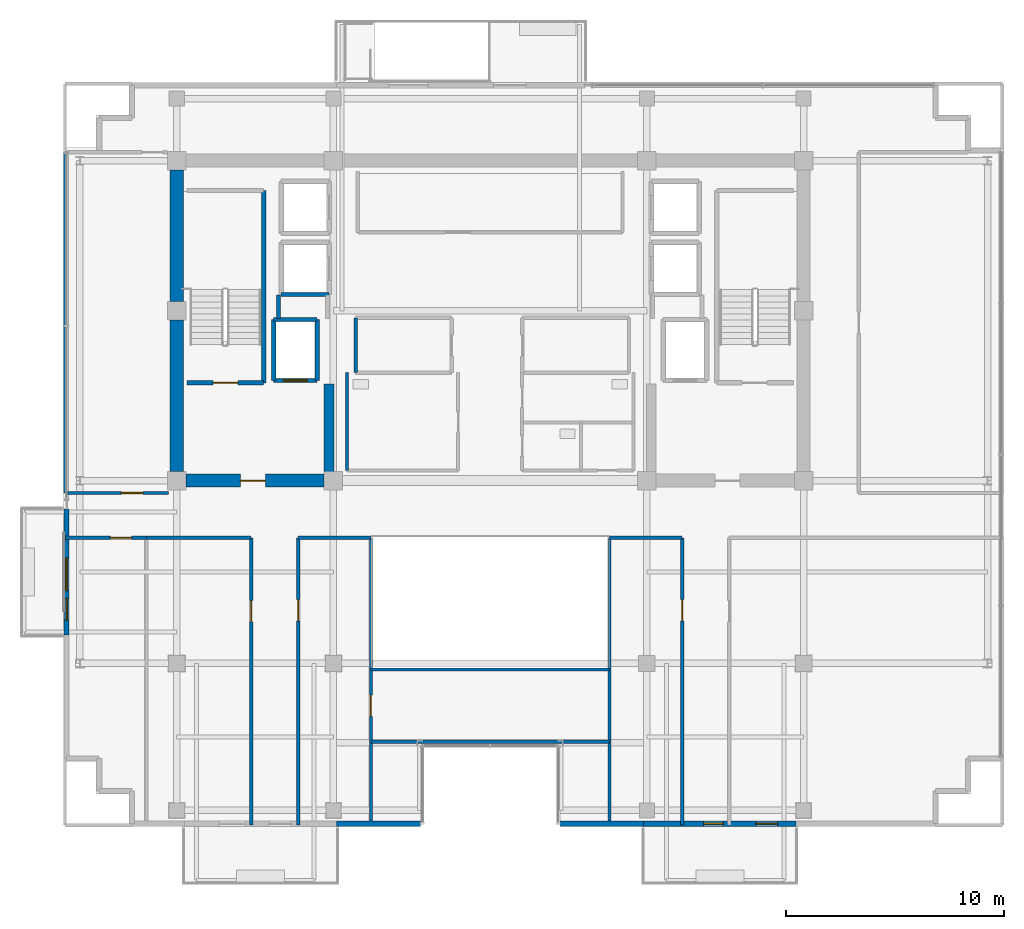
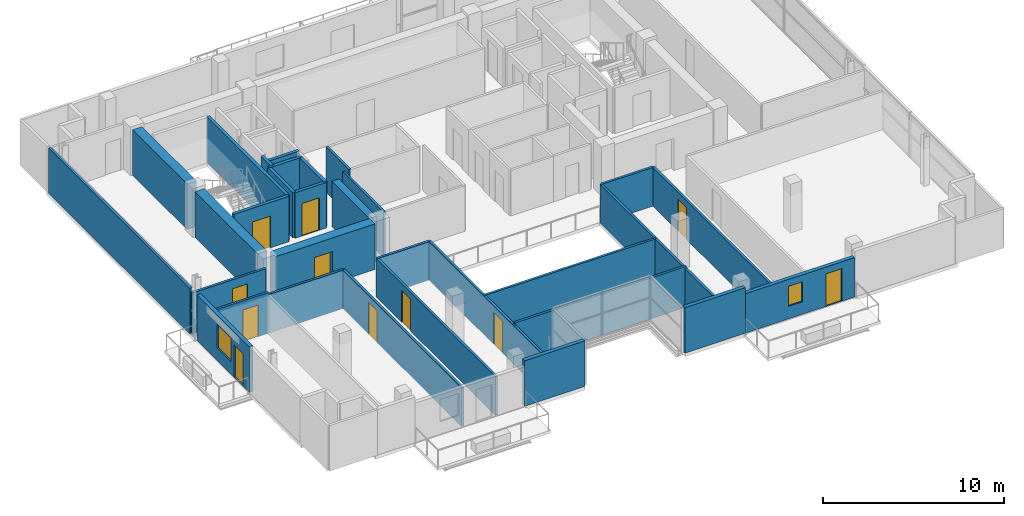
# One storey, part 16 of 24: 31 walls, 11 doors, 2 windows, 13 openings.
"""IFC4 building model written with IfcOpenShell, lengths in metres."""

import ifcopenshell
import ifcopenshell.guid

model = None  # the IFC model being written
_history = None  # IfcOwnerHistory: only IFC2X3 demands one
_inside = {}  # id of a spatial element -> (the spatial element, [elements in it])
_under = {}  # id of a project, library or spatial element -> (it, [spatial elements below it])
_declared = {}  # id of a project -> (the project, [libraries it declares])
_typed = {}  # id of a type object -> (the type object, [elements of that type])
_made_of = {}  # id of a material, layer set ... -> (it, [elements and type objects made of it])


def new_model(schema):
    """Start an empty IFC model of exactly this schema.

    Asked for "IFC4X3", IfcOpenShell would pick the latest addendum, in which some entities
    have other attributes; the version numbers below select the first issue.
    IFC2X3 requires an IfcOwnerHistory on every rooted entity: one is made here for all.
    """
    global model, _history
    if schema == "IFC4X3":
        model = ifcopenshell.file(schema_version=(4, 3, 0, 0))
    else:
        model = ifcopenshell.file(schema=schema)
    _inside.clear()
    _under.clear()
    _declared.clear()
    _typed.clear()
    _made_of.clear()
    _history = None
    if model.schema == "IFC2X3":
        org = make("IfcOrganization", Name="unknown")
        user = make(
            "IfcPersonAndOrganization",
            ThePerson=make("IfcPerson", FamilyName="unknown"),
            TheOrganization=org,
        )
        app = make(
            "IfcApplication",
            ApplicationDeveloper=org,
            Version="unknown",
            ApplicationFullName="unknown",
            ApplicationIdentifier="unknown",
        )
        _history = make(
            "IfcOwnerHistory",
            OwningUser=user,
            OwningApplication=app,
            ChangeAction="ADDED",
            CreationDate=0,
        )
    return model


def make(cls, **values):
    """One entity of the class cls with the attributes given. An attribute that is None is left unset."""
    return model.create_entity(
        cls, **{name: value for name, value in values.items() if value is not None}
    )


def rooted(cls, **values):
    """An entity with a GlobalId (a new one), such as an element, a storey or a relation."""
    return make(cls, GlobalId=ifcopenshell.guid.new(), OwnerHistory=_history, **values)


def si_unit(unit_type, name, prefix=None):
    """IfcSIUnit, for example si_unit("LENGTHUNIT", "METRE", prefix="MILLI")."""
    return make("IfcSIUnit", UnitType=unit_type, Prefix=prefix, Name=name)


def assignment(units):
    """IfcUnitAssignment: the units of a project."""
    return None if units is None else make("IfcUnitAssignment", Units=units)


def point(xyz):
    """IfcCartesianPoint."""
    return None if xyz is None else make("IfcCartesianPoint", Coordinates=xyz)


def direction(xyz):
    """IfcDirection."""
    return None if xyz is None else make("IfcDirection", DirectionRatios=xyz)


def frame(location, z_axis=None, x_axis=None):
    """IfcAxis2Placement3D, a coordinate frame: its origin and axes. An axis left out is left unset."""
    return make(
        "IfcAxis2Placement3D",
        Location=point(location),
        Axis=direction(z_axis),
        RefDirection=direction(x_axis),
    )


def frame_2d(location, x_axis=None):
    """IfcAxis2Placement2D, a coordinate frame in the plane: its origin and x axis."""
    return make(
        "IfcAxis2Placement2D", Location=point(location), RefDirection=direction(x_axis)
    )


def origin():
    """The frame at (0, 0, 0) with its axes left unset."""
    return frame((0.0, 0.0, 0.0))


def place(relative_to, where):
    """IfcLocalPlacement: puts the frame where relative to a parent placement (None: the world)."""
    return make(
        "IfcLocalPlacement", PlacementRelTo=relative_to, RelativePlacement=where
    )


def context(
    kind, dimensions, precision=None, world=None, true_north=None, identifier=None
):
    """IfcGeometricRepresentationContext, for example the 3D "Model" context."""
    return make(
        "IfcGeometricRepresentationContext",
        ContextIdentifier=identifier,
        ContextType=kind,
        CoordinateSpaceDimension=dimensions,
        Precision=precision,
        WorldCoordinateSystem=world,
        TrueNorth=true_north,
    )


def subcontext(parent, identifier, kind, view, scale=None):
    """IfcGeometricRepresentationSubContext, for example "Body" below "Model"."""
    return make(
        "IfcGeometricRepresentationSubContext",
        ContextIdentifier=identifier,
        ContextType=kind,
        ParentContext=parent,
        TargetScale=scale,
        TargetView=view,
    )


def project(units=None, contexts=None):
    """IfcProject with its units and contexts."""
    return rooted(
        "IfcProject",
        Name="project",
        RepresentationContexts=contexts,
        UnitsInContext=assignment(units),
    )


def spatial(cls, under=None, at=None, **own):
    """A site, building, storey or space (cls), placed at a placement, below another one or the project."""
    s = rooted(cls, ObjectPlacement=at, **own)
    if under is not None:
        _under.setdefault(under.id(), (under, []))[1].append(s)
    return s


def profile(cls, at=None, kind="AREA", **sizes):
    """A parametric profile (cls). Its sizes go by their IFC names, for example OverallWidth=200.0."""
    return make(cls, ProfileType=kind, Position=at, **sizes)


def rectangle(**sizes):
    """IfcRectangleProfileDef."""
    return profile("IfcRectangleProfileDef", **sizes)


def extrude(swept, where, along, depth):
    """IfcExtrudedAreaSolid: the profile swept, set in the frame where, extruded along a direction by depth."""
    return make(
        "IfcExtrudedAreaSolid",
        SweptArea=swept,
        Position=where,
        ExtrudedDirection=direction(along),
        Depth=depth,
    )


def shape(context_of_items, identifier, shape_type, items):
    """IfcShapeRepresentation: the items that make up one representation, for example the "Body"."""
    return make(
        "IfcShapeRepresentation",
        ContextOfItems=context_of_items,
        RepresentationIdentifier=identifier,
        RepresentationType=shape_type,
        Items=items,
    )


def source(mapping_origin, context_of_items, identifier, shape_type, items):
    """IfcRepresentationMap: a shape defined once, which mapped items show again and again."""
    return make(
        "IfcRepresentationMap",
        MappingOrigin=mapping_origin,
        MappedRepresentation=shape(context_of_items, identifier, shape_type, items),
    )


def transform(
    local_origin,
    x_axis=None,
    y_axis=None,
    z_axis=None,
    scale=None,
    scale2=None,
    scale3=None,
    uniform=True,
):
    """IfcCartesianTransformationOperator3D, or its non-uniform kind. x_axis, y_axis, z_axis: its Axis1, 2, 3."""
    if uniform:
        return make(
            "IfcCartesianTransformationOperator3D",
            Axis1=direction(x_axis),
            Axis2=direction(y_axis),
            LocalOrigin=point(local_origin),
            Scale=scale,
            Axis3=direction(z_axis),
        )
    return make(
        "IfcCartesianTransformationOperator3DnonUniform",
        Axis1=direction(x_axis),
        Axis2=direction(y_axis),
        LocalOrigin=point(local_origin),
        Scale=scale,
        Axis3=direction(z_axis),
        Scale2=scale2,
        Scale3=scale3,
    )


def mapped(mapping_source, mapping_target):
    """IfcMappedItem: shows the shape of a source again, moved by a transform."""
    return make(
        "IfcMappedItem", MappingSource=mapping_source, MappingTarget=mapping_target
    )


def material(Name=None, Category=None):
    """IfcMaterial."""
    return make("IfcMaterial", Name=Name, Category=Category)


def layer(
    of_material, thickness, ventilated=None, Name=None, Category=None, Priority=None
):
    """IfcMaterialLayer: one layer of a wall or slab, of a material (None: an air gap)."""
    return make(
        "IfcMaterialLayer",
        Material=of_material,
        LayerThickness=thickness,
        IsVentilated=ventilated,
        Name=Name,
        Category=Category,
        Priority=Priority,
    )


def layer_set(layers, Name=None):
    """IfcMaterialLayerSet."""
    return make("IfcMaterialLayerSet", MaterialLayers=layers, LayerSetName=Name)


def made_of(thing, what):
    """Note that an element or type object is made of a material, layer set ...; save() writes the relation."""
    if what is not None:
        _made_of.setdefault(what.id(), (what, []))[1].append(thing)
    return thing


def type_object(cls, material=None, **own):
    """A type object (cls), such as IfcWallType, which elements share."""
    return made_of(rooted(cls, **own), material)


def element(
    cls,
    number,
    at=None,
    inside=None,
    cuts=None,
    type_object=None,
    material=None,
    context=None,
    identifier="Body",
    shape_type=None,
    held_by="IfcProductDefinitionShape",
    body=None,
    shapes=None,
    **own,
):
    """One element of the class cls, such as IfcWall. Its Tag is "e" and its number.

    at: its placement. inside: the storey or other place that contains it. cuts: it is an
    opening in that element (IfcRelVoidsElement). A single representation is given by context,
    identifier, shape_type and body (its items); several are given by shapes. held_by: the class
    of the entity that holds the representations. save() writes the other relations.
    """
    e = rooted(cls, Tag="e%d" % number, ObjectPlacement=at, **own)
    if body is not None:
        shapes = [shape(context, identifier, shape_type, body)]
    if shapes is not None:
        e.Representation = make(held_by, Representations=shapes)
    if inside is not None:
        _inside.setdefault(inside.id(), (inside, []))[1].append(e)
    if cuts is not None:
        rooted(
            "IfcRelVoidsElement", RelatingBuildingElement=cuts, RelatedOpeningElement=e
        )
    if type_object is not None:
        _typed.setdefault(type_object.id(), (type_object, []))[1].append(e)
    return made_of(e, material)


def fill(opening, filler):
    """IfcRelFillsElement: the door or window that sits in an opening."""
    return rooted(
        "IfcRelFillsElement",
        RelatingOpeningElement=opening,
        RelatedBuildingElement=filler,
    )


def aggregate(whole, parts):
    """IfcRelAggregates: a whole, such as a stair, and the parts it consists of."""
    return rooted("IfcRelAggregates", RelatingObject=whole, RelatedObjects=parts)


def save(model, path):
    """Write the relations noted so far, then the file.

    IfcRelAggregates (storeys below a building ...), IfcRelContainedInSpatialStructure (elements
    in a storey), IfcRelDefinesByType, IfcRelAssociatesMaterial and IfcRelDeclares: one each for
    every whole, place, type object, material and project.
    """
    for whole, parts in _under.values():
        aggregate(whole, parts)
    for where, things in _inside.values():
        rooted(
            "IfcRelContainedInSpatialStructure",
            RelatedElements=things,
            RelatingStructure=where,
        )
    for kind, things in _typed.values():
        rooted("IfcRelDefinesByType", RelatedObjects=things, RelatingType=kind)
    for what, things in _made_of.values():
        rooted("IfcRelAssociatesMaterial", RelatedObjects=things, RelatingMaterial=what)
    for by, libraries in _declared.values():
        rooted("IfcRelDeclares", RelatingContext=by, RelatedDefinitions=libraries)
    model.write(path)


model = new_model("IFC4")

# Units and contexts
model_context = context("Model", 3, precision=1e-05, world=origin(), true_north=direction((0.0, 1.0)))
body_context = subcontext(model_context, "Body", "Model", "MODEL_VIEW")
ifc_project = project(units=[si_unit("LENGTHUNIT", "METRE"), si_unit("AREAUNIT", "SQUARE_METRE"), si_unit("VOLUMEUNIT", "CUBIC_METRE"), si_unit("PLANEANGLEUNIT", "RADIAN"), si_unit("MASSUNIT", "GRAM", prefix="KILO")], contexts=[model_context])

# Site, building, storey
site_placement = place(None, origin())
site = spatial("IfcSite", under=ifc_project, at=site_placement, CompositionType="ELEMENT")
building_placement = place(site_placement, origin())
building = spatial("IfcBuilding", under=site, at=building_placement, Name="Zarnakvel Exchange Tower", CompositionType="ELEMENT")
storey_placement = place(building_placement, frame((0.0, 0.0, 235.300048828125)))
storey = spatial("IfcBuildingStorey", under=building, at=storey_placement, Name="L66", CompositionType="ELEMENT", Elevation=235.300048828125)

# Walls
ifc_material_1 = material(Name="Concrete C50/60", Category="concrete")
ifc_layer_1 = layer(ifc_material_1, 0.60009765625)
ifc_layer_set_1 = layer_set([ifc_layer_1], Name="Concrete C50/60")
wall_type_1 = type_object("IfcWallType", Name="CW-C5", PredefinedType="SHEAR", material=ifc_layer_set_1)
wall_1_placement = place(storey_placement, frame((-14.39990234375, -0.77490234375, 0.0), z_axis=(0.0, 0.0, 1.0), x_axis=(0.0, 1.0, 0.0)))
element("IfcWall", 1, at=wall_1_placement, inside=storey, type_object=wall_type_1, Name="L66 Rear Core Shear Wall W1 (CW-C5)", PredefinedType="SHEAR", context=body_context, shape_type="SweptSolid", body=[
    extrude(rectangle(XDim=6.949951171875, YDim=0.60009765625, at=frame_2d((3.47509765625, 0.0))), origin(), (0.0, 0.0, 1.0), 3.074951171875),
])
wall_2_placement = place(storey_placement, frame((-14.39990234375, 7.02490234375, 0.0), z_axis=(0.0, 0.0, 1.0), x_axis=(0.0, 1.0, 0.0)))
element("IfcWall", 2, at=wall_2_placement, inside=storey, type_object=wall_type_1, Name="L66 Rear Core Shear Wall W2 (CW-C5)", PredefinedType="SHEAR", context=body_context, shape_type="SweptSolid", body=[
    extrude(rectangle(XDim=6.050048828125, YDim=0.60009765625, at=frame_2d((3.02490234375, 0.0))), origin(), (0.0, 0.0, 1.0), 3.074951171875),
])

# Wall, opening, door
wall_3_placement = place(storey_placement, frame((-7.625, -1.199951171875, 0.0), z_axis=(0.0, 0.0, 1.0), x_axis=(-1.0, 0.0, 0.0)))
wall_3 = element("IfcWall", 3, at=wall_3_placement, inside=storey, type_object=wall_type_1, Name="L66 Rear Core Shear Wall SW (CW-C5)", PredefinedType="SHEAR", context=body_context, shape_type="SweptSolid", body=[
    extrude(rectangle(XDim=6.35009765625, YDim=0.60009765625, at=frame_2d((3.175048828125, 0.0))), origin(), (0.0, 0.0, 1.0), 3.074951171875),
])
opening_1_placement = place(wall_3_placement, frame((2.699951171875, 0.0, 0.0)))
opening_1 = element("IfcOpeningElement", 4, at=opening_1_placement, cuts=wall_3, Name="Opening D-L66-03", PredefinedType="OPENING", context=body_context, shape_type="SweptSolid", body=[
    extrude(rectangle(XDim=1.14990234375, YDim=2.14990234375, at=frame_2d((0.574951171875, 1.074951171875))), frame((0.0, 0.31005859375, 0.0), z_axis=(0.0, -1.0, 0.0), x_axis=(1.0, 0.0, 0.0)), (0.0, 0.0, 1.0), 0.6201171875),
])
ifc_material_2 = material(Name="Painted Galvanised Steel S355", Category="steel")
door_type_1 = type_object("IfcDoorType", Name="DT-04", OperationType="NOTDEFINED", PredefinedType="DOOR", material=ifc_material_2)
shared_shape_1 = source(origin(), body_context, "Body", "SweptSolid", [
    extrude(rectangle(XDim=1.14990234375, YDim=2.14990234375, at=frame_2d((0.574951171875, 1.074951171875))), frame((0.0, 0.02490234375, 0.0), z_axis=(0.0, -1.0, 0.0), x_axis=(1.0, 0.0, 0.0)), (0.0, 0.0, 1.0), 0.050048828125),
])
door_1_placement = place(opening_1_placement, origin())
door_1 = element("IfcDoor", 5, at=door_1_placement, inside=storey, type_object=door_type_1, Name="L66 Firefighting Lobby West Door D-L66-03", OperationType="SINGLE_SWING_LEFT", OverallHeight=2.14990234375, OverallWidth=1.14990234375, PredefinedType="DOOR", context=body_context, shape_type="MappedRepresentation", body=[
    mapped(shared_shape_1, transform((0.0, 0.0, 0.0), x_axis=(1.0, 0.0, 0.0), y_axis=(0.0, 1.0, 0.0), z_axis=(0.0, 0.0, 1.0), scale=1.0)),
])
fill(opening_1, door_1)

# Wall
ifc_layer_2 = layer(ifc_material_1, 0.449951171875)
ifc_layer_set_2 = layer_set([ifc_layer_2], Name="Concrete C50/60")
wall_type_2 = type_object("IfcWallType", Name="CW-C6", PredefinedType="SHEAR", material=ifc_layer_set_2)
wall_4_placement = place(storey_placement, frame((-7.39990234375, -0.89990234375, 0.0), z_axis=(0.0, 0.0, 1.0), x_axis=(0.0, 1.0, 0.0)))
element("IfcWall", 6, at=wall_4_placement, inside=storey, type_object=wall_type_2, Name="L66 Rear Core Shear Wall IW (CW-C6)", PredefinedType="SHEAR", context=body_context, shape_type="SweptSolid", body=[
    extrude(rectangle(XDim=4.14990234375, YDim=0.449951171875, at=frame_2d((2.074951171875, 0.0))), origin(), (0.0, 0.0, 1.0), 3.074951171875),
])

# Wall, openings, door, window
ifc_material_3 = material(Name="Precast concrete C40/50", Category="concrete")
ifc_layer_3 = layer(ifc_material_3, 0.239990234375)
ifc_layer_set_3 = layer_set([ifc_layer_3], Name="Precast concrete C40/50")
wall_type_3 = type_object("IfcWallType", Name="EW-02", PredefinedType="SOLIDWALL", material=ifc_layer_set_3)
wall_5_placement = place(storey_placement, frame((14.050048828125, -16.9599609375, 0.0), z_axis=(0.0, 0.0, 1.0), x_axis=(-1.0, 0.0, 0.0)))
wall_5 = element("IfcWall", 7, at=wall_5_placement, inside=storey, type_object=wall_type_3, Name="L66 Exterior Precast Spandrel Wall EW-BAL-L66-SE (EW-02)", PredefinedType="SOLIDWALL", context=body_context, shape_type="SweptSolid", body=[
    extrude(rectangle(XDim=7.0, YDim=0.239990234375, at=frame_2d((3.5, 0.0))), origin(), (0.0, 0.0, 1.0), 2.6650390625),
])
opening_2_placement = place(wall_5_placement, frame((0.840087890625, 0.0, 0.0)))
opening_2 = element("IfcOpeningElement", 8, at=opening_2_placement, cuts=wall_5, Name="Opening BD-L66-02", PredefinedType="OPENING", context=body_context, shape_type="SweptSolid", body=[
    extrude(rectangle(XDim=1.0, YDim=2.199951171875, at=frame_2d((0.5, 1.10009765625))), frame((0.0, 0.1298828125, 0.0), z_axis=(0.0, -1.0, 0.0), x_axis=(1.0, 0.0, 0.0)), (0.0, 0.0, 1.0), 0.260009765625),
])
opening_3_placement = place(wall_5_placement, frame((3.35009765625, 0.0, 0.85009765625)))
opening_3 = element("IfcOpeningElement", 9, at=opening_3_placement, cuts=wall_5, Name="Opening WN-06", PredefinedType="OPENING", context=body_context, shape_type="SweptSolid", body=[
    extrude(rectangle(XDim=0.89990234375, YDim=1.35009765625, at=frame_2d((0.449951171875, 0.675048828125))), frame((0.0, 0.1298828125, 0.0), z_axis=(0.0, -1.0, 0.0), x_axis=(1.0, 0.0, 0.0)), (0.0, 0.0, 1.0), 0.260009765625),
])
ifc_material_4 = material(Name="Architectural Bronze Anodised Aluminium", Category="aluminium")
door_type_2 = type_object("IfcDoorType", Name="DT-09", OperationType="NOTDEFINED", PredefinedType="DOOR", material=ifc_material_4)
shared_shape_2 = source(origin(), body_context, "Body", "SweptSolid", [
    extrude(rectangle(XDim=1.0, YDim=2.199951171875, at=frame_2d((0.5, 1.10009765625))), frame((0.0, 0.02490234375, 0.0), z_axis=(0.0, -1.0, 0.0), x_axis=(1.0, 0.0, 0.0)), (0.0, 0.0, 1.0), 0.050048828125),
])
door_2_placement = place(opening_2_placement, origin())
door_2 = element("IfcDoor", 10, at=door_2_placement, inside=storey, type_object=door_type_2, Name="L66 Planted Loggia Balcony Door BD-L66-02", OperationType="SINGLE_SWING_LEFT", OverallHeight=2.199951171875, OverallWidth=1.0, PredefinedType="DOOR", context=body_context, shape_type="MappedRepresentation", body=[
    mapped(shared_shape_2, transform((0.0, 0.0, 0.0), x_axis=(1.0, 0.0, 0.0), y_axis=(0.0, 1.0, 0.0), z_axis=(0.0, 0.0, 1.0), scale=1.0)),
])
fill(opening_2, door_2)
ifc_material_5 = material(Name="Double Low-E Laminated Vision Glass", Category="glass")
window_type_1 = type_object("IfcWindowType", Name="WN-06", PartitioningType="SINGLE_PANEL", PredefinedType="WINDOW", material=ifc_material_5)
shared_shape_3 = source(origin(), body_context, "Body", "SweptSolid", [
    extrude(rectangle(XDim=0.89990234375, YDim=1.35009765625, at=frame_2d((0.449951171875, 0.675048828125))), frame((0.0, 0.030029296875, 0.0), z_axis=(0.0, -1.0, 0.0), x_axis=(1.0, 0.0, 0.0)), (0.0, 0.0, 1.0), 0.06005859375),
])
window_1_placement = place(opening_3_placement, origin())
window_1 = element("IfcWindow", 11, at=window_1_placement, inside=storey, type_object=window_type_1, Name="L66 Loggia Daylight Window (WN-06)", OverallHeight=1.35009765625, OverallWidth=0.89990234375, PartitioningType="SINGLE_PANEL", PredefinedType="WINDOW", context=body_context, shape_type="MappedRepresentation", body=[
    mapped(shared_shape_3, transform((0.0, 0.0, 0.0), x_axis=(1.0, 0.0, 0.0), y_axis=(0.0, 1.0, 0.0), z_axis=(0.0, 0.0, 1.0), scale=1.0)),
])
fill(opening_3, window_1)

wall_6_placement = place(storey_placement, frame((-19.4599609375, -8.300048828125, 0.0), z_axis=(0.0, 0.0, 1.0), x_axis=(0.0, 1.0, 0.0)))
wall_6 = element("IfcWall", 12, at=wall_6_placement, inside=storey, type_object=wall_type_3, Name="L66 Exterior Precast Spandrel Wall EW-BAL-L66-W (EW-02)", PredefinedType="SOLIDWALL", context=body_context, shape_type="SweptSolid", body=[
    extrude(rectangle(XDim=5.800048828125, YDim=0.239990234375, at=frame_2d((2.89990234375, 0.0))), origin(), (0.0, 0.0, 1.0), 3.074951171875),
])
opening_4_placement = place(wall_6_placement, frame((0.696044921875, 0.0, 0.0)))
opening_4 = element("IfcOpeningElement", 13, at=opening_4_placement, cuts=wall_6, Name="Opening BD-L66-03", PredefinedType="OPENING", context=body_context, shape_type="SweptSolid", body=[
    extrude(rectangle(XDim=1.0, YDim=2.199951171875, at=frame_2d((0.5, 1.10009765625))), frame((0.0, 0.1298828125, 0.0), z_axis=(0.0, -1.0, 0.0), x_axis=(1.0, 0.0, 0.0)), (0.0, 0.0, 1.0), 0.260009765625),
])
opening_5_placement = place(wall_6_placement, frame((2.0458984375, 0.0, 0.85009765625)))
opening_5 = element("IfcOpeningElement", 14, at=opening_5_placement, cuts=wall_6, Name="Opening WN-03", PredefinedType="OPENING", context=body_context, shape_type="SweptSolid", body=[
    extrude(rectangle(XDim=1.5, YDim=1.60009765625, at=frame_2d((0.75, 0.800048828125))), frame((0.0, 0.1298828125, 0.0), z_axis=(0.0, -1.0, 0.0), x_axis=(1.0, 0.0, 0.0)), (0.0, 0.0, 1.0), 0.260009765625),
])
door_3_placement = place(opening_4_placement, origin())
door_3 = element("IfcDoor", 15, at=door_3_placement, inside=storey, type_object=door_type_2, Name="L66 Planted Loggia Balcony Door BD-L66-03", OperationType="SINGLE_SWING_RIGHT", OverallHeight=2.199951171875, OverallWidth=1.0, PredefinedType="DOOR", context=body_context, shape_type="MappedRepresentation", body=[
    mapped(shared_shape_2, transform((0.0, 0.0, 0.0), x_axis=(1.0, 0.0, 0.0), y_axis=(0.0, 1.0, 0.0), z_axis=(0.0, 0.0, 1.0), scale=1.0)),
])
fill(opening_4, door_3)
window_type_2 = type_object("IfcWindowType", Name="WN-03", PartitioningType="SINGLE_PANEL", PredefinedType="WINDOW", material=ifc_material_5)
shared_shape_4 = source(origin(), body_context, "Body", "SweptSolid", [
    extrude(rectangle(XDim=1.5, YDim=1.60009765625, at=frame_2d((0.75, 0.800048828125))), frame((0.0, 0.030029296875, 0.0), z_axis=(0.0, -1.0, 0.0), x_axis=(1.0, 0.0, 0.0)), (0.0, 0.0, 1.0), 0.06005859375),
])
window_2_placement = place(opening_5_placement, origin())
window_2 = element("IfcWindow", 16, at=window_2_placement, inside=storey, type_object=window_type_2, Name="L66 Loggia Daylight Window (WN-03)", OverallHeight=1.60009765625, OverallWidth=1.5, PartitioningType="SINGLE_PANEL", PredefinedType="WINDOW", context=body_context, shape_type="MappedRepresentation", body=[
    mapped(shared_shape_4, transform((0.0, 0.0, 0.0), x_axis=(1.0, 0.0, 0.0), y_axis=(0.0, 1.0, 0.0), z_axis=(0.0, 0.0, 1.0), scale=1.0)),
])
fill(opening_5, window_2)

# Walls
for number, where, z_axis, x_axis, name in (
    (17, (3.199951171875, -16.9599609375, 0.0), (0.0, 0.0, 1.0), (1.0, 0.0, 0.0), "L66 Exterior Precast Spandrel Wall EWC-L66-18 (EW-02)"),
    (18, (-7.050048828125, -16.9599609375, 0.0), (0.0, 0.0, 1.0), (1.0, 0.0, 0.0), "L66 Exterior Precast Spandrel Wall EWC-L66-23 (EW-02)"),
):
    element("IfcWall", number, at=place(storey_placement, frame(where, z_axis=z_axis, x_axis=x_axis)), inside=storey, type_object=wall_type_3, Name=name, PredefinedType="SOLIDWALL", context=body_context, shape_type="SweptSolid", body=[
        extrude(rectangle(XDim=3.85009765625, YDim=0.239990234375, at=frame_2d((1.925048828125, 0.0))), origin(), (0.0, 0.0, 1.0), 3.074951171875),
    ])
ifc_material_6 = material(Name="Fire-Rated Gypsum Stud Partition", Category="gypsum")
ifc_layer_4 = layer(ifc_material_6, 0.14990234375)
ifc_layer_set_4 = layer_set([ifc_layer_4], Name="Fire-Rated Gypsum Stud Partition")
wall_type_4 = type_object("IfcWallType", Name="PT-01", PredefinedType="PARTITIONING", material=ifc_layer_set_4)
wall_7_placement = place(storey_placement, frame((-6.179931640625, 3.760009765625, 0.0), z_axis=(0.0, 0.0, 1.0), x_axis=(0.0, 1.0, 0.0)))
element("IfcWall", 19, at=wall_7_placement, inside=storey, type_object=wall_type_4, Name="L66 Partition Wall PWALL-L66-016 (PT-01)", PredefinedType="PARTITIONING", context=body_context, shape_type="SweptSolid", body=[
    extrude(rectangle(XDim=2.52001953125, YDim=0.14990234375, at=frame_2d((1.260009765625, 0.0))), origin(), (0.0, 0.0, 1.0), 3.074951171875),
])

# Wall, opening, door
wall_8_placement = place(storey_placement, frame((-19.530029296875, -3.830078125, 0.0), z_axis=(0.0, 0.0, 1.0), x_axis=(1.0, 0.0, 0.0)))
wall_8 = element("IfcWall", 20, at=wall_8_placement, inside=storey, type_object=wall_type_4, Name="L66 Partition Wall PWALL-L66-034 (PT-01)", PredefinedType="PARTITIONING", context=body_context, shape_type="SweptSolid", body=[
    extrude(rectangle(XDim=3.73828125, YDim=0.14990234375, at=frame_2d((1.869140625, 0.0))), origin(), (0.0, 0.0, 1.0), 2.764892578125),
])
opening_6_placement = place(wall_8_placement, frame((2.0791015625, 0.0, 0.0)))
opening_6 = element("IfcOpeningElement", 21, at=opening_6_placement, cuts=wall_8, Name="Opening D-L66-12", PredefinedType="OPENING", context=body_context, shape_type="SweptSolid", body=[
    extrude(rectangle(XDim=0.97998046875, YDim=2.14990234375, at=frame_2d((0.489990234375, 1.074951171875))), frame((0.0, 0.0849609375, 0.0), z_axis=(0.0, -1.0, 0.0), x_axis=(1.0, 0.0, 0.0)), (0.0, 0.0, 1.0), 0.169921875),
])
ifc_material_7 = material(Name="Timber Acoustic Veneer", Category="wood")
door_type_3 = type_object("IfcDoorType", Name="DT-05", OperationType="NOTDEFINED", PredefinedType="DOOR", material=ifc_material_7)
shared_shape_5 = source(origin(), body_context, "Body", "SweptSolid", [
    extrude(rectangle(XDim=0.97998046875, YDim=2.14990234375, at=frame_2d((0.489990234375, 1.074951171875))), frame((0.0, 0.02490234375, 0.0), z_axis=(0.0, -1.0, 0.0), x_axis=(1.0, 0.0, 0.0)), (0.0, 0.0, 1.0), 0.050048828125),
])
door_4_placement = place(opening_6_placement, origin())
door_4 = element("IfcDoor", 22, at=door_4_placement, inside=storey, type_object=door_type_3, Name="L66 Commodities Dealing Room Door D-L66-12", OperationType="SINGLE_SWING_RIGHT", OverallHeight=2.14990234375, OverallWidth=0.97998046875, PredefinedType="DOOR", context=body_context, shape_type="MappedRepresentation", body=[
    mapped(shared_shape_5, transform((0.0, 0.0, 0.0), x_axis=(1.0, 0.0, 0.0), y_axis=(0.0, 1.0, 0.0), z_axis=(0.0, 0.0, 1.0), scale=1.0)),
])
fill(opening_6, door_4)

# Wall
wall_9_placement = place(storey_placement, frame((-15.791748046875, -3.830078125, 0.0), z_axis=(0.0, 0.0, 1.0), x_axis=(1.0, 0.0, 0.0)))
element("IfcWall", 23, at=wall_9_placement, inside=storey, type_object=wall_type_4, Name="L66 Partition Wall PWALL-L66-038 (PT-01)", PredefinedType="PARTITIONING", context=body_context, shape_type="SweptSolid", body=[
    extrude(rectangle(XDim=4.811767578125, YDim=0.14990234375, at=frame_2d((2.40576171875, 0.0))), origin(), (0.0, 0.0, 1.0), 2.614990234375),
])

# Wall, opening, door
wall_10_placement = place(storey_placement, frame((-10.97998046875, -3.830078125, 0.0), z_axis=(0.0, 0.0, 1.0), x_axis=(0.0, -1.0, 0.0)))
wall_10 = element("IfcWall", 24, at=wall_10_placement, inside=storey, type_object=wall_type_4, Name="L66 Partition Wall PWALL-L66-039 (PT-01)", PredefinedType="PARTITIONING", context=body_context, shape_type="SweptSolid", body=[
    extrude(rectangle(XDim=13.199951171875, YDim=0.14990234375, at=frame_2d((6.60009765625, 0.0))), origin(), (0.0, 0.0, 1.0), 2.614990234375),
])
opening_7_placement = place(wall_10_placement, frame((2.8798828125, 0.0, 0.0)))
opening_7 = element("IfcOpeningElement", 25, at=opening_7_placement, cuts=wall_10, Name="Opening D-L66-13", PredefinedType="OPENING", context=body_context, shape_type="SweptSolid", body=[
    extrude(rectangle(XDim=0.97998046875, YDim=2.14990234375, at=frame_2d((0.489990234375, 1.074951171875))), frame((0.0, 0.0849609375, 0.0), z_axis=(0.0, -1.0, 0.0), x_axis=(1.0, 0.0, 0.0)), (0.0, 0.0, 1.0), 0.169921875),
])
door_5_placement = place(opening_7_placement, origin())
door_5 = element("IfcDoor", 26, at=door_5_placement, inside=storey, type_object=door_type_3, Name="L66 Brokerage Office Door D-L66-13", OperationType="SINGLE_SWING_LEFT", OverallHeight=2.14990234375, OverallWidth=0.97998046875, PredefinedType="DOOR", context=body_context, shape_type="MappedRepresentation", body=[
    mapped(shared_shape_5, transform((0.0, 0.0, 0.0), x_axis=(1.0, 0.0, 0.0), y_axis=(0.0, 1.0, 0.0), z_axis=(0.0, 0.0, 1.0), scale=1.0)),
])
fill(opening_7, door_5)

# Wall
wall_11_placement = place(storey_placement, frame((-8.820068359375, -3.830078125, 0.0), z_axis=(0.0, 0.0, 1.0), x_axis=(1.0, 0.0, 0.0)))
element("IfcWall", 27, at=wall_11_placement, inside=storey, type_object=wall_type_4, Name="L66 Partition Wall PWALL-L66-045 (PT-01)", PredefinedType="PARTITIONING", context=body_context, shape_type="SweptSolid", body=[
    extrude(rectangle(XDim=3.340087890625, YDim=0.14990234375, at=frame_2d((1.669921875, 0.0))), origin(), (0.0, 0.0, 1.0), 2.614990234375),
])

# Wall, opening, door
wall_12_placement = place(storey_placement, frame((-8.820068359375, -17.030029296875, 0.0), z_axis=(0.0, 0.0, 1.0), x_axis=(0.0, 1.0, 0.0)))
wall_12 = element("IfcWall", 28, at=wall_12_placement, inside=storey, type_object=wall_type_4, Name="L66 Partition Wall PWALL-L66-046 (PT-01)", PredefinedType="PARTITIONING", context=body_context, shape_type="SweptSolid", body=[
    extrude(rectangle(XDim=13.199951171875, YDim=0.14990234375, at=frame_2d((6.60009765625, 0.0))), origin(), (0.0, 0.0, 1.0), 2.614990234375),
])
opening_8_placement = place(wall_12_placement, frame((9.385009765625, 0.0, 0.0)))
opening_8 = element("IfcOpeningElement", 29, at=opening_8_placement, cuts=wall_12, Name="Opening D-L66-15", PredefinedType="OPENING", context=body_context, shape_type="SweptSolid", body=[
    extrude(rectangle(XDim=0.97998046875, YDim=2.14990234375, at=frame_2d((0.489990234375, 1.074951171875))), frame((0.0, 0.0849609375, 0.0), z_axis=(0.0, -1.0, 0.0), x_axis=(1.0, 0.0, 0.0)), (0.0, 0.0, 1.0), 0.169921875),
])
door_6_placement = place(opening_8_placement, origin())
door_6 = element("IfcDoor", 30, at=door_6_placement, inside=storey, type_object=door_type_3, Name="L66 Tea Pantry Door D-L66-15", OperationType="SINGLE_SWING_LEFT", OverallHeight=2.14990234375, OverallWidth=0.97998046875, PredefinedType="DOOR", context=body_context, shape_type="MappedRepresentation", body=[
    mapped(shared_shape_5, transform((0.0, 0.0, 0.0), x_axis=(1.0, 0.0, 0.0), y_axis=(0.0, 1.0, 0.0), z_axis=(0.0, 0.0, 1.0), scale=1.0)),
])
fill(opening_8, door_6)

wall_13_placement = place(storey_placement, frame((-5.47998046875, -3.830078125, 0.0), z_axis=(0.0, 0.0, 1.0), x_axis=(0.0, -1.0, 0.0)))
wall_13 = element("IfcWall", 31, at=wall_13_placement, inside=storey, type_object=wall_type_4, Name="L66 Partition Wall PWALL-L66-047 (PT-01)", PredefinedType="PARTITIONING", context=body_context, shape_type="SweptSolid", body=[
    extrude(rectangle(XDim=13.199951171875, YDim=0.14990234375, at=frame_2d((6.60009765625, 0.0))), origin(), (0.0, 0.0, 1.0), 2.614990234375),
])
opening_9_placement = place(wall_13_placement, frame((7.219970703125, 0.0, 0.0)))
opening_9 = element("IfcOpeningElement", 32, at=opening_9_placement, cuts=wall_13, Name="Opening D-L66-17", PredefinedType="OPENING", context=body_context, shape_type="SweptSolid", body=[
    extrude(rectangle(XDim=0.97998046875, YDim=2.14990234375, at=frame_2d((0.489990234375, 1.074951171875))), frame((0.0, 0.0849609375, 0.0), z_axis=(0.0, -1.0, 0.0), x_axis=(1.0, 0.0, 0.0)), (0.0, 0.0, 1.0), 0.169921875),
])
door_7_placement = place(opening_9_placement, origin())
door_7 = element("IfcDoor", 33, at=door_7_placement, inside=storey, type_object=door_type_3, Name="L66 Breakout Lounge Door D-L66-17", OperationType="SINGLE_SWING_LEFT", OverallHeight=2.14990234375, OverallWidth=0.97998046875, PredefinedType="DOOR", context=body_context, shape_type="MappedRepresentation", body=[
    mapped(shared_shape_5, transform((0.0, 0.0, 0.0), x_axis=(1.0, 0.0, 0.0), y_axis=(0.0, 1.0, 0.0), z_axis=(0.0, 0.0, 1.0), scale=1.0)),
])
fill(opening_9, door_7)

# Walls
wall_14_placement = place(storey_placement, frame((5.47998046875, -3.830078125, 0.0), z_axis=(0.0, 0.0, 1.0), x_axis=(1.0, 0.0, 0.0)))
element("IfcWall", 34, at=wall_14_placement, inside=storey, type_object=wall_type_4, Name="L66 Partition Wall PWALL-L66-049 (PT-01)", PredefinedType="PARTITIONING", context=body_context, shape_type="SweptSolid", body=[
    extrude(rectangle(XDim=3.340087890625, YDim=0.14990234375, at=frame_2d((1.669921875, 0.0))), origin(), (0.0, 0.0, 1.0), 2.614990234375),
])
wall_15_placement = place(storey_placement, frame((5.47998046875, -17.030029296875, 0.0), z_axis=(0.0, 0.0, 1.0), x_axis=(0.0, 1.0, 0.0)))
element("IfcWall", 35, at=wall_15_placement, inside=storey, type_object=wall_type_4, Name="L66 Partition Wall PWALL-L66-050 (PT-01)", PredefinedType="PARTITIONING", context=body_context, shape_type="SweptSolid", body=[
    extrude(rectangle(XDim=13.199951171875, YDim=0.14990234375, at=frame_2d((6.60009765625, 0.0))), origin(), (0.0, 0.0, 1.0), 2.614990234375),
])

# Wall, opening, door
wall_16_placement = place(storey_placement, frame((8.820068359375, -3.830078125, 0.0), z_axis=(0.0, 0.0, 1.0), x_axis=(0.0, -1.0, 0.0)))
wall_16 = element("IfcWall", 36, at=wall_16_placement, inside=storey, type_object=wall_type_4, Name="L66 Partition Wall PWALL-L66-051 (PT-01)", PredefinedType="PARTITIONING", context=body_context, shape_type="SweptSolid", body=[
    extrude(rectangle(XDim=13.199951171875, YDim=0.14990234375, at=frame_2d((6.60009765625, 0.0))), origin(), (0.0, 0.0, 1.0), 2.614990234375),
])
opening_10_placement = place(wall_16_placement, frame((2.8349609375, 0.0, 0.0)))
opening_10 = element("IfcOpeningElement", 37, at=opening_10_placement, cuts=wall_16, Name="Opening D-L66-16", PredefinedType="OPENING", context=body_context, shape_type="SweptSolid", body=[
    extrude(rectangle(XDim=0.97998046875, YDim=2.14990234375, at=frame_2d((0.489990234375, 1.074951171875))), frame((0.0, 0.0849609375, 0.0), z_axis=(0.0, -1.0, 0.0), x_axis=(1.0, 0.0, 0.0)), (0.0, 0.0, 1.0), 0.169921875),
])
door_8_placement = place(opening_10_placement, origin())
door_8 = element("IfcDoor", 38, at=door_8_placement, inside=storey, type_object=door_type_3, Name="L66 Fintech Workspace Door D-L66-16", OperationType="SINGLE_SWING_RIGHT", OverallHeight=2.14990234375, OverallWidth=0.97998046875, PredefinedType="DOOR", context=body_context, shape_type="MappedRepresentation", body=[
    mapped(shared_shape_5, transform((0.0, 0.0, 0.0), x_axis=(1.0, 0.0, 0.0), y_axis=(0.0, 1.0, 0.0), z_axis=(0.0, 0.0, 1.0), scale=1.0)),
])
fill(opening_10, door_8)

# Walls
wall_17_placement = place(storey_placement, frame((5.47998046875, -13.199951171875, 0.0), z_axis=(0.0, 0.0, 1.0), x_axis=(-1.0, 0.0, 0.0)))
element("IfcWall", 39, at=wall_17_placement, inside=storey, type_object=wall_type_4, Name="L66 Partition Wall PWALL-L66-052 (PT-01)", PredefinedType="PARTITIONING", context=body_context, shape_type="SweptSolid", body=[
    extrude(rectangle(XDim=10.9599609375, YDim=0.14990234375, at=frame_2d((5.47998046875, 0.0))), origin(), (0.0, 0.0, 1.0), 2.764892578125),
])
wall_18_placement = place(storey_placement, frame((-5.47998046875, -9.8798828125, 0.0), z_axis=(0.0, 0.0, 1.0), x_axis=(1.0, 0.0, 0.0)))
element("IfcWall", 40, at=wall_18_placement, inside=storey, type_object=wall_type_4, Name="L66 Partition Wall PWALL-L66-053 (PT-01)", PredefinedType="PARTITIONING", context=body_context, shape_type="SweptSolid", body=[
    extrude(rectangle(XDim=10.9599609375, YDim=0.14990234375, at=frame_2d((5.47998046875, 0.0))), origin(), (0.0, 0.0, 1.0), 2.614990234375),
])

# Wall, opening, door
wall_19_placement = place(storey_placement, frame((-14.77001953125, -1.77001953125, 0.0), z_axis=(0.0, 0.0, 1.0), x_axis=(-1.0, 0.0, 0.0)))
wall_19 = element("IfcWall", 41, at=wall_19_placement, inside=storey, type_object=wall_type_4, Name="L66 Partition Wall PWALL-L66-054 (PT-01)", PredefinedType="PARTITIONING", context=body_context, shape_type="SweptSolid", body=[
    extrude(rectangle(XDim=4.760009765625, YDim=0.14990234375, at=frame_2d((2.3798828125, 0.0))), origin(), (0.0, 0.0, 1.0), 2.764892578125),
])
opening_11_placement = place(wall_19_placement, frame((1.18994140625, 0.0, 0.0)))
opening_11 = element("IfcOpeningElement", 42, at=opening_11_placement, cuts=wall_19, Name="Opening D-L66-18", PredefinedType="OPENING", context=body_context, shape_type="SweptSolid", body=[
    extrude(rectangle(XDim=0.97998046875, YDim=2.14990234375, at=frame_2d((0.489990234375, 1.074951171875))), frame((0.0, 0.0849609375, 0.0), z_axis=(0.0, -1.0, 0.0), x_axis=(1.0, 0.0, 0.0)), (0.0, 0.0, 1.0), 0.169921875),
])
door_9_placement = place(opening_11_placement, origin())
door_9 = element("IfcDoor", 43, at=door_9_placement, inside=storey, type_object=door_type_3, Name="L66 Boardroom Door D-L66-18", OperationType="SINGLE_SWING_RIGHT", OverallHeight=2.14990234375, OverallWidth=0.97998046875, PredefinedType="DOOR", context=body_context, shape_type="MappedRepresentation", body=[
    mapped(shared_shape_5, transform((0.0, 0.0, 0.0), x_axis=(1.0, 0.0, 0.0), y_axis=(0.0, 1.0, 0.0), z_axis=(0.0, 0.0, 1.0), scale=1.0)),
])
fill(opening_11, door_9)

# Walls
wall_20_placement = place(storey_placement, frame((-19.530029296875, -1.77001953125, 0.0), z_axis=(0.0, 0.0, 1.0), x_axis=(0.0, 1.0, 0.0)))
element("IfcWall", 44, at=wall_20_placement, inside=storey, type_object=wall_type_4, Name="L66 Partition Wall PWALL-L66-056 (PT-01)", PredefinedType="PARTITIONING", context=body_context, shape_type="SweptSolid", body=[
    extrude(rectangle(XDim=15.64990234375, YDim=0.14990234375, at=frame_2d((7.824951171875, 0.0))), origin(), (0.0, 0.0, 1.0), 3.074951171875),
])
ifc_layer_5 = layer(ifc_material_6, 0.179931640625)
ifc_layer_set_5 = layer_set([ifc_layer_5], Name="Fire-Rated Gypsum Stud Partition")
wall_type_5 = type_object("IfcWallType", Name="PT-02", PredefinedType="PARTITIONING", material=ifc_layer_set_5)
wall_21_placement = place(storey_placement, frame((-9.72998046875, 6.239990234375, 0.0), z_axis=(0.0, 0.0, 1.0), x_axis=(0.0, 1.0, 0.0)))
element("IfcWall", 45, at=wall_21_placement, inside=storey, type_object=wall_type_5, Name="L66 Partition Wall PWALL-L66-007 (PT-02)", PredefinedType="PARTITIONING", context=body_context, shape_type="SweptSolid", body=[
    extrude(rectangle(XDim=1.090087890625, YDim=0.179931640625, at=frame_2d((0.544921875, 0.0))), origin(), (0.0, 0.0, 1.0), 3.074951171875),
])
ifc_material_8 = material(Name="Moisture-Resistant Tile-Faced Partition", Category="gypsum")
ifc_layer_6 = layer(ifc_material_8, 0.135009765625)
ifc_layer_set_6 = layer_set([ifc_layer_6], Name="Moisture-Resistant Tile-Faced Partition")
wall_type_6 = type_object("IfcWallType", Name="PT-03", PredefinedType="PARTITIONING", material=ifc_layer_set_6)
wall_22_placement = place(storey_placement, frame((-6.580078125, -0.72998046875, 0.0), z_axis=(0.0, 0.0, 1.0), x_axis=(0.0, 1.0, 0.0)))
element("IfcWall", 46, at=wall_22_placement, inside=storey, type_object=wall_type_6, Name="L66 Partition Wall PWALL-L66-023 (PT-03)", PredefinedType="PARTITIONING", context=body_context, shape_type="SweptSolid", body=[
    extrude(rectangle(XDim=4.489990234375, YDim=0.135009765625, at=frame_2d((2.2451171875, 0.0))), origin(), (0.0, 0.0, 1.0), 3.074951171875),
])

# Wall, opening, door
ifc_material_9 = material(Name="Concrete C40/50", Category="concrete")
ifc_layer_7 = layer(ifc_material_9, 0.199951171875)
ifc_layer_set_7 = layer_set([ifc_layer_7], Name="Concrete C40/50")
wall_type_7 = type_object("IfcWallType", Name="SW-01", PredefinedType="SOLIDWALL", material=ifc_layer_set_7)
wall_23_placement = place(storey_placement, frame((-7.949951171875, 3.39990234375, 0.0), z_axis=(0.0, 0.0, 1.0), x_axis=(-1.0, 0.0, 0.0)))
wall_23 = element("IfcWall", 47, at=wall_23_placement, inside=storey, type_object=wall_type_7, Name="L66 FL-01 Hoistway Wall South", PredefinedType="SOLIDWALL", context=body_context, shape_type="SweptSolid", body=[
    extrude(rectangle(XDim=2.0, YDim=0.199951171875, at=frame_2d((1.0, 0.0))), origin(), (0.0, 0.0, 1.0), 3.074951171875),
])
opening_12_placement = place(wall_23_placement, frame((0.449951171875, 0.0, 0.0)))
opening_12 = element("IfcOpeningElement", 48, at=opening_12_placement, cuts=wall_23, Name="Opening LD-FL-01-L66", PredefinedType="OPENING", context=body_context, shape_type="SweptSolid", body=[
    extrude(rectangle(XDim=1.10009765625, YDim=2.199951171875, at=frame_2d((0.550048828125, 1.10009765625))), frame((0.0, 0.10986328125, 0.0), z_axis=(0.0, -1.0, 0.0), x_axis=(1.0, 0.0, 0.0)), (0.0, 0.0, 1.0), 0.219970703125),
])
ifc_material_10 = material(Name="Brushed Stainless Steel", Category="steel")
door_type_4 = type_object("IfcDoorType", Name="LDT-01", OperationType="NOTDEFINED", PredefinedType="DOOR", material=ifc_material_10)
shared_shape_6 = source(origin(), body_context, "Body", "SweptSolid", [
    extrude(rectangle(XDim=1.10009765625, YDim=2.199951171875, at=frame_2d((0.550048828125, 1.10009765625))), frame((0.0, 0.02490234375, 0.0), z_axis=(0.0, -1.0, 0.0), x_axis=(1.0, 0.0, 0.0)), (0.0, 0.0, 1.0), 0.050048828125),
])
door_10_placement = place(opening_12_placement, origin())
door_10 = element("IfcDoor", 49, at=door_10_placement, inside=storey, type_object=door_type_4, Name="L66 FL-01 Lift Landing Door LD-FL-01-L66", OperationType="DOUBLE_DOOR_SLIDING", OverallHeight=2.199951171875, OverallWidth=1.10009765625, PredefinedType="DOOR", context=body_context, shape_type="MappedRepresentation", body=[
    mapped(shared_shape_6, transform((0.0, 0.0, 0.0), x_axis=(1.0, 0.0, 0.0), y_axis=(0.0, 1.0, 0.0), z_axis=(0.0, 0.0, 1.0), scale=1.0)),
])
fill(opening_12, door_10)

# Walls
wall_24_placement = place(storey_placement, frame((-9.949951171875, 6.199951171875, 0.0), z_axis=(0.0, 0.0, 1.0), x_axis=(1.0, 0.0, 0.0)))
element("IfcWall", 50, at=wall_24_placement, inside=storey, type_object=wall_type_7, Name="L66 FL-01 Hoistway Wall North", PredefinedType="SOLIDWALL", context=body_context, shape_type="SweptSolid", body=[
    extrude(rectangle(XDim=2.0, YDim=0.199951171875, at=frame_2d((1.0, 0.0))), origin(), (0.0, 0.0, 1.0), 3.074951171875),
])
for number, where, z_axis, x_axis, name in (
    (51, (-9.949951171875, 3.39990234375, 0.0), (0.0, 0.0, 1.0), (0.0, 1.0, 0.0), "L66 FL-01 Hoistway Wall West"),
    (52, (-7.949951171875, 6.199951171875, 0.0), (0.0, 0.0, 1.0), (0.0, -1.0, 0.0), "L66 FL-01 Hoistway Wall East"),
):
    element("IfcWall", number, at=place(storey_placement, frame(where, z_axis=z_axis, x_axis=x_axis)), inside=storey, type_object=wall_type_7, Name=name, PredefinedType="SOLIDWALL", context=body_context, shape_type="SweptSolid", body=[
        extrude(rectangle(XDim=2.800048828125, YDim=0.199951171875, at=frame_2d((1.39990234375, 0.0))), origin(), (0.0, 0.0, 1.0), 3.074951171875),
    ])
wall_25_placement = place(storey_placement, frame((-7.39990234375, 7.35009765625, 0.0), z_axis=(0.0, 0.0, 1.0), x_axis=(-1.0, 0.0, 0.0)))
element("IfcWall", 53, at=wall_25_placement, inside=storey, type_object=wall_type_7, Name="L66 PL-09 Hoistway Wall South", PredefinedType="SOLIDWALL", context=body_context, shape_type="SweptSolid", body=[
    extrude(rectangle(XDim=2.2001953125, YDim=0.199951171875, at=frame_2d((1.10009765625, 0.0))), origin(), (0.0, 0.0, 1.0), 2.614990234375),
])

# Wall, opening, door
ifc_layer_8 = layer(ifc_material_9, 0.199951171875)
ifc_layer_set_8 = layer_set([ifc_layer_8], Name="Concrete C40/50")
wall_type_8 = type_object("IfcWallType", Name="SW-02", PredefinedType="SOLIDWALL", material=ifc_layer_set_8)
wall_26_placement = place(storey_placement, frame((-10.409912109375, 3.2900390625, 0.0), z_axis=(0.0, 0.0, 1.0), x_axis=(-1.0, 0.0, 0.0)))
wall_26 = element("IfcWall", 54, at=wall_26_placement, inside=storey, type_object=wall_type_8, Name="L66 Stairwell Core Wall PWALL-L66-001 (SW-02)", PredefinedType="SOLIDWALL", context=body_context, shape_type="SweptSolid", body=[
    extrude(rectangle(XDim=3.52001953125, YDim=0.199951171875, at=frame_2d((1.760009765625, 0.0))), origin(), (0.0, 0.0, 1.0), 3.074951171875),
])
opening_13_placement = place(wall_26_placement, frame((1.1650390625, 0.0, 0.0)))
opening_13 = element("IfcOpeningElement", 55, at=opening_13_placement, cuts=wall_26, Name="Opening D-L66-01", PredefinedType="OPENING", context=body_context, shape_type="SweptSolid", body=[
    extrude(rectangle(XDim=1.14990234375, YDim=2.14990234375, at=frame_2d((0.574951171875, 1.074951171875))), frame((0.0, 0.10986328125, 0.0), z_axis=(0.0, -1.0, 0.0), x_axis=(1.0, 0.0, 0.0)), (0.0, 0.0, 1.0), 0.219970703125),
])
door_11_placement = place(opening_13_placement, origin())
door_11 = element("IfcDoor", 56, at=door_11_placement, inside=storey, type_object=door_type_1, Name="L66 Stairwell ST-01 Door D-L66-01", OperationType="SINGLE_SWING_LEFT", OverallHeight=2.14990234375, OverallWidth=1.14990234375, PredefinedType="DOOR", context=body_context, shape_type="MappedRepresentation", body=[
    mapped(shared_shape_1, transform((0.0, 0.0, 0.0), x_axis=(1.0, 0.0, 0.0), y_axis=(0.0, 1.0, 0.0), z_axis=(0.0, 0.0, 1.0), scale=1.0)),
])
fill(opening_13, door_11)

# Wall
wall_27_placement = place(storey_placement, frame((-10.409912109375, 12.1298828125, 0.0), z_axis=(0.0, 0.0, 1.0), x_axis=(0.0, -1.0, 0.0)))
element("IfcWall", 57, at=wall_27_placement, inside=storey, type_object=wall_type_8, Name="L66 Stairwell Core Wall PWALL-L66-003 (SW-02)", PredefinedType="SOLIDWALL", context=body_context, shape_type="SweptSolid", body=[
    extrude(rectangle(XDim=8.83984375, YDim=0.199951171875, at=frame_2d((4.419921875, 0.0))), origin(), (0.0, 0.0, 1.0), 3.074951171875),
])

save(model, "model.ifc")
